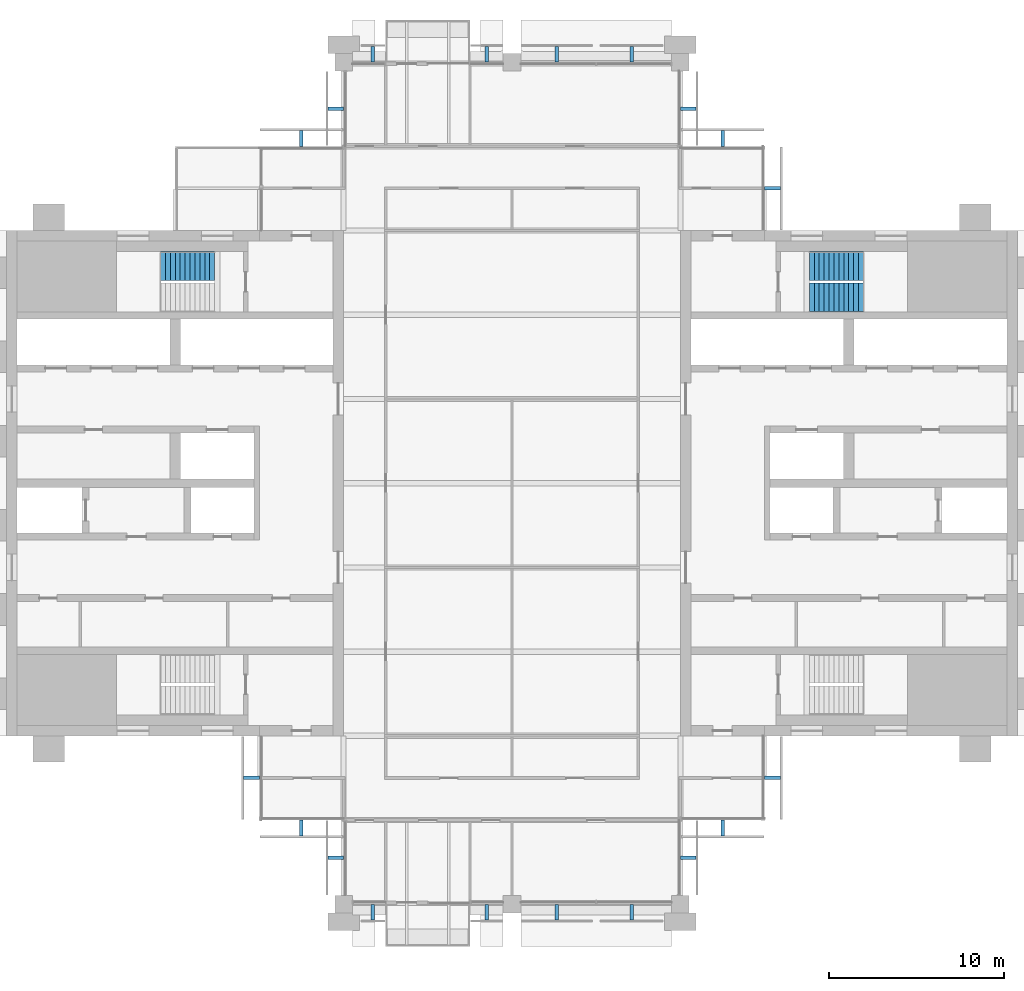
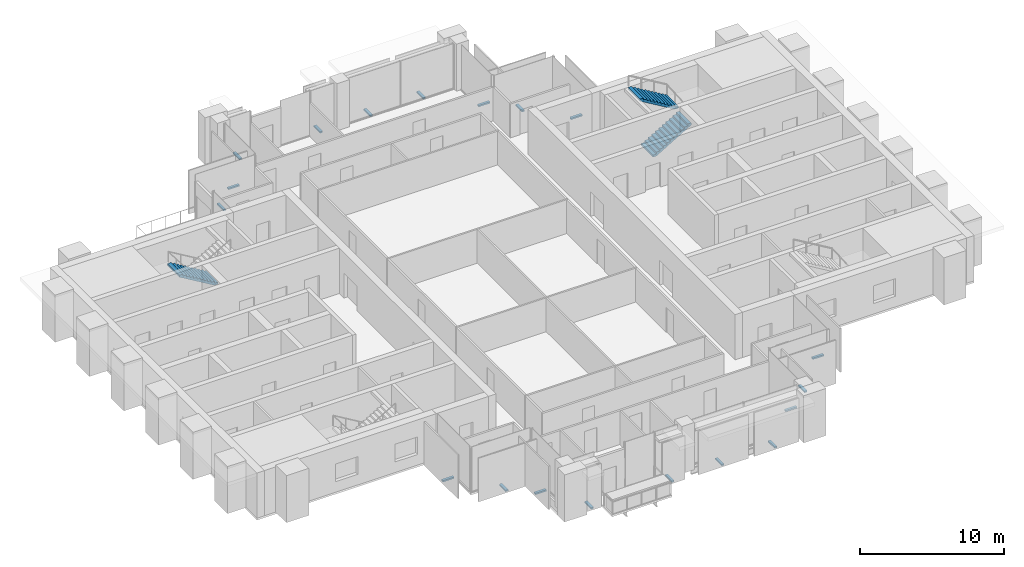
# One storey, part 12 of 14: 19 discrete accessories, 3 stair flights, 2 elements without a shape of their own.
"""IFC4 building model written with IfcOpenShell, lengths in metres."""

from ifc_helpers import new_model, si_unit, direction, frame, origin, origin_2d, place, context, subcontext, project, spatial, polyline, rectangle, outline, extrude, material, type_object, element, aggregate, save


model = new_model("IFC4")

# Units and contexts
model_context = context("Model", 3, precision=1e-05, world=origin(), true_north=direction((0.0, 1.0)))
body_context = subcontext(model_context, "Body", "Model", "MODEL_VIEW")
ifc_project = project(units=[si_unit("LENGTHUNIT", "METRE"), si_unit("AREAUNIT", "SQUARE_METRE"), si_unit("VOLUMEUNIT", "CUBIC_METRE"), si_unit("PLANEANGLEUNIT", "RADIAN"), si_unit("MASSUNIT", "GRAM", prefix="KILO")], contexts=[model_context])

# Site, building, storey
site_placement = place(None, origin())
site = spatial("IfcSite", under=ifc_project, at=site_placement, CompositionType="ELEMENT")
building_placement = place(site_placement, origin())
building = spatial("IfcBuilding", under=site, at=building_placement, Name="Baori Bourse Tower", CompositionType="ELEMENT")
storey_placement = place(building_placement, frame((0.0, 0.0, 290.300048828125)))
storey = spatial("IfcBuildingStorey", under=building, at=storey_placement, Name="L63", CompositionType="ELEMENT", Elevation=290.300048828125)

# Stair, stair flight
ifc_material_1 = material(Name="Concrete f'c 50 MPa", Category="concrete")
stair_type = type_object("IfcStairType", Name="Core stair", PredefinedType="HALF_TURN_STAIR", material=ifc_material_1)
stair_1_placement = place(storey_placement, origin())
stair_1 = element("IfcStair", 1, at=stair_1_placement, inside=storey, type_object=stair_type, Name="L63 Stair WB", PredefinedType="HALF_TURN_STAIR")
ifc_material_2 = material(Name="Concrete f'c 50 MPa", Category="concrete")
stair_flight_type = type_object("IfcStairFlightType", Name="Core stair flight", PredefinedType="STRAIGHT", material=ifc_material_2)
stair_flight_1_placement = place(storey_placement, frame((11.85009765625, 36.375, 0.0), z_axis=(0.0, 0.0, 1.0), x_axis=(-1.0, 0.0, 0.0)))
stair_flight_1 = element("IfcStairFlight", 2, at=stair_flight_1_placement, type_object=stair_flight_type, Name="ST2 flight 1", NumberOfRisers=12, NumberOfTreads=11, PredefinedType="STRAIGHT", RiserHeight=0.166666667, TreadLength=0.28, context=body_context, shape_type="SweptSolid", body=[
    extrude(outline(polyline([(0.0, 0.0), (0.0, 0.166748046875), (0.280029296875, 0.166748046875), (0.280029296875, 0.333251953125), (0.56005859375, 0.333251953125), (0.56005859375, 0.5), (0.840087890625, 0.5), (0.840087890625, 0.666748046875), (1.1201171875, 0.666748046875), (1.1201171875, 0.833251953125), (1.39990234375, 0.833251953125), (1.39990234375, 1.0), (1.679931640625, 1.0), (1.679931640625, 1.166748046875), (1.9599609375, 1.166748046875), (1.9599609375, 1.333251953125), (2.239990234375, 1.333251953125), (2.239990234375, 1.5), (2.52001953125, 1.5), (2.52001953125, 1.666748046875), (2.800048828125, 1.666748046875), (2.800048828125, 1.833251953125), (3.080078125, 1.833251953125), (3.080078125, 2.0), (3.080078125, 1.658935546875), (0.29296875, 0.0), (0.0, 0.0)])), frame((0.0, 0.824951171875, 0.0), z_axis=(0.0, -1.0, 0.0), x_axis=(1.0, 0.0, 0.0)), (0.0, 0.0, 1.0), 1.64990234375),
])
aggregate(stair_1, [stair_flight_1])

# Stair, stair flights
stair_2_placement = place(storey_placement, origin())
stair_2 = element("IfcStair", 3, at=stair_2_placement, inside=storey, type_object=stair_type, Name="L63 Stair EB", PredefinedType="HALF_TURN_STAIR")
stair_flight_2_placement = place(storey_placement, frame((45.75, 34.574951171875, 0.0), z_axis=(0.0, 0.0, 1.0), x_axis=(1.0, 0.0, 0.0)))
stair_flight_2 = element("IfcStairFlight", 4, at=stair_flight_2_placement, type_object=stair_flight_type, Name="ST4 flight 1", NumberOfRisers=12, NumberOfTreads=11, PredefinedType="STRAIGHT", RiserHeight=0.166666667, TreadLength=0.28, context=body_context, shape_type="SweptSolid", body=[
    extrude(outline(polyline([(0.0, 0.0), (0.0, 0.166748046875), (0.280029296875, 0.166748046875), (0.280029296875, 0.333251953125), (0.56005859375, 0.333251953125), (0.56005859375, 0.5), (0.840087890625, 0.5), (0.840087890625, 0.666748046875), (1.1201171875, 0.666748046875), (1.1201171875, 0.833251953125), (1.39990234375, 0.833251953125), (1.39990234375, 1.0), (1.679931640625, 1.0), (1.679931640625, 1.166748046875), (1.9599609375, 1.166748046875), (1.9599609375, 1.333251953125), (2.239990234375, 1.333251953125), (2.239990234375, 1.5), (2.52001953125, 1.5), (2.52001953125, 1.666748046875), (2.800048828125, 1.666748046875), (2.800048828125, 1.833251953125), (3.080078125, 1.833251953125), (3.080078125, 2.0), (3.080078125, 1.658935546875), (0.29296875, 0.0), (0.0, 0.0)])), frame((0.0, 0.824951171875, 0.0), z_axis=(0.0, -1.0, 0.0), x_axis=(1.0, 0.0, 0.0)), (0.0, 0.0, 1.0), 1.64990234375),
])
stair_flight_3_placement = place(storey_placement, frame((48.830078125, 36.375, 2.0), z_axis=(0.0, 0.0, 1.0), x_axis=(-1.0, 0.0, 0.0)))
stair_flight_3 = element("IfcStairFlight", 5, at=stair_flight_3_placement, type_object=stair_flight_type, Name="ST4 flight 2", NumberOfRisers=12, NumberOfTreads=11, PredefinedType="STRAIGHT", RiserHeight=0.166666667, TreadLength=0.28, context=body_context, shape_type="SweptSolid", body=[
    extrude(outline(polyline([(0.0, 0.0), (0.0, 0.166748046875), (0.280029296875, 0.166748046875), (0.280029296875, 0.333251953125), (0.56005859375, 0.333251953125), (0.56005859375, 0.5), (0.840087890625, 0.5), (0.840087890625, 0.666748046875), (1.1201171875, 0.666748046875), (1.1201171875, 0.833251953125), (1.39990234375, 0.833251953125), (1.39990234375, 1.0), (1.679931640625, 1.0), (1.679931640625, 1.166748046875), (1.9599609375, 1.166748046875), (1.9599609375, 1.333251953125), (2.239990234375, 1.333251953125), (2.239990234375, 1.5), (2.52001953125, 1.5), (2.52001953125, 1.666748046875), (2.800048828125, 1.666748046875), (2.800048828125, 1.833251953125), (3.080078125, 1.833251953125), (3.080078125, 2.0), (3.080078125, 1.658935546875), (0.29296875, 0.0), (0.0, 0.0)])), frame((0.0, 0.824951171875, 0.0), z_axis=(0.0, -1.0, 0.0), x_axis=(1.0, 0.0, 0.0)), (0.0, 0.0, 1.0), 1.64990234375),
])
aggregate(stair_2, [stair_flight_2, stair_flight_3])

# Discrete accessories
ifc_material_3 = material(Name="Pale anodised aluminium", Category="aluminium")
discrete_accessory_type = type_object("IfcDiscreteAccessoryType", Name="OS2 Outer skin bracket", PredefinedType="BRACKET", material=ifc_material_3)
for number, where, z_axis, x_axis, name in (
    (6, (43.64990234375, 40.800048828125, -0.14404296875), (0.0, 0.0, 1.0), (0.0, 1.0, 0.0), "Outer skin bracket L63 1"),
    (7, (40.800048828125, 43.64990234375, -0.14404296875), (0.0, 0.0, 1.0), (-1.0, 0.0, 0.0), "Outer skin bracket L63 2"),
    (8, (38.85009765625, 45.35009765625, -0.14404296875), (0.0, 0.0, 1.0), (0.0, 1.0, 0.0), "Outer skin bracket L63 3"),
    (9, (35.612548828125, 48.449951171875, -0.14404296875), (0.0, 0.0, 1.0), (-1.0, 0.0, 0.0), "Outer skin bracket L63 4"),
    (10, (31.362548828125, 48.449951171875, -0.14404296875), (0.0, 0.0, 1.0), (-1.0, 0.0, 0.0), "Outer skin bracket L63 5"),
    (11, (27.35009765625, 48.449951171875, -0.14404296875), (0.0, 0.0, 1.0), (-1.0, 0.0, 0.0), "Outer skin bracket L63 6"),
    (12, (20.875, 48.449951171875, -0.14404296875), (0.0, 0.0, 1.0), (-1.0, 0.0, 0.0), "Outer skin bracket L63 7"),
    (13, (18.75, 45.35009765625, -0.14404296875), (0.0, 0.0, 1.0), (0.0, -1.0, 0.0), "Outer skin bracket L63 8"),
    (14, (16.800048828125, 43.64990234375, -0.14404296875), (0.0, 0.0, 1.0), (-1.0, 0.0, 0.0), "Outer skin bracket L63 9"),
    (15, (13.949951171875, 7.199951171875, -0.14404296875), (0.0, 0.0, 1.0), (0.0, -1.0, 0.0), "Outer skin bracket L63 10"),
    (16, (16.800048828125, 4.35009765625, -0.14404296875), (0.0, 0.0, 1.0), (1.0, 0.0, 0.0), "Outer skin bracket L63 11"),
    (17, (18.75, 2.64990234375, -0.14404296875), (0.0, 0.0, 1.0), (0.0, -1.0, 0.0), "Outer skin bracket L63 12"),
    (18, (20.875, -0.449951171875, -0.14404296875), (0.0, 0.0, 1.0), (1.0, 0.0, 0.0), "Outer skin bracket L63 13"),
    (19, (27.35009765625, -0.449951171875, -0.14404296875), (0.0, 0.0, 1.0), (1.0, 0.0, 0.0), "Outer skin bracket L63 14"),
    (20, (31.362548828125, -0.449951171875, -0.14404296875), (0.0, 0.0, 1.0), (1.0, 0.0, 0.0), "Outer skin bracket L63 15"),
    (21, (35.612548828125, -0.449951171875, -0.14404296875), (0.0, 0.0, 1.0), (1.0, 0.0, 0.0), "Outer skin bracket L63 16"),
    (22, (38.85009765625, 2.64990234375, -0.14404296875), (0.0, 0.0, 1.0), (0.0, 1.0, 0.0), "Outer skin bracket L63 17"),
    (23, (40.800048828125, 4.35009765625, -0.14404296875), (0.0, 0.0, 1.0), (1.0, 0.0, 0.0), "Outer skin bracket L63 18"),
    (24, (43.64990234375, 7.199951171875, -0.14404296875), (0.0, 0.0, 1.0), (0.0, 1.0, 0.0), "Outer skin bracket L63 19"),
):
    element("IfcDiscreteAccessory", number, at=place(storey_placement, frame(where, z_axis=z_axis, x_axis=x_axis)), inside=storey, type_object=discrete_accessory_type, Name=name, PredefinedType="BRACKET", context=body_context, shape_type="SweptSolid", body=[
        extrude(rectangle(XDim=0.199951171875, YDim=0.89990234375, at=origin_2d()), origin(), (0.0, 0.0, 1.0), 0.1279296875),
    ])

save(model, "model.ifc")
